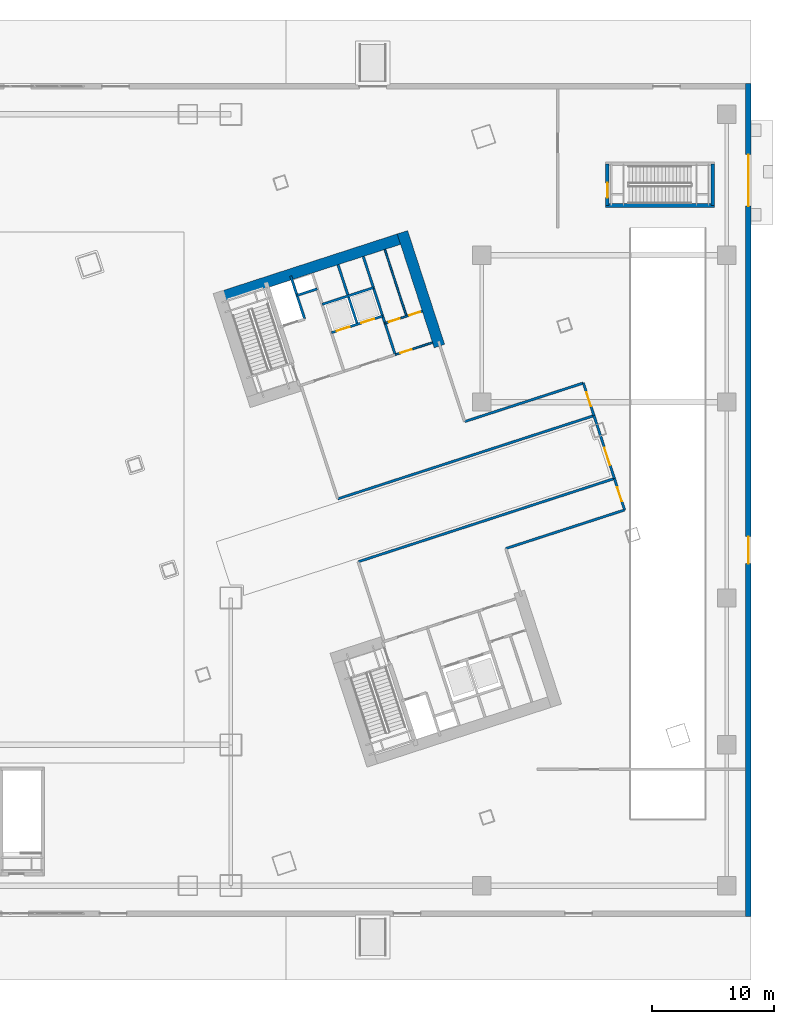
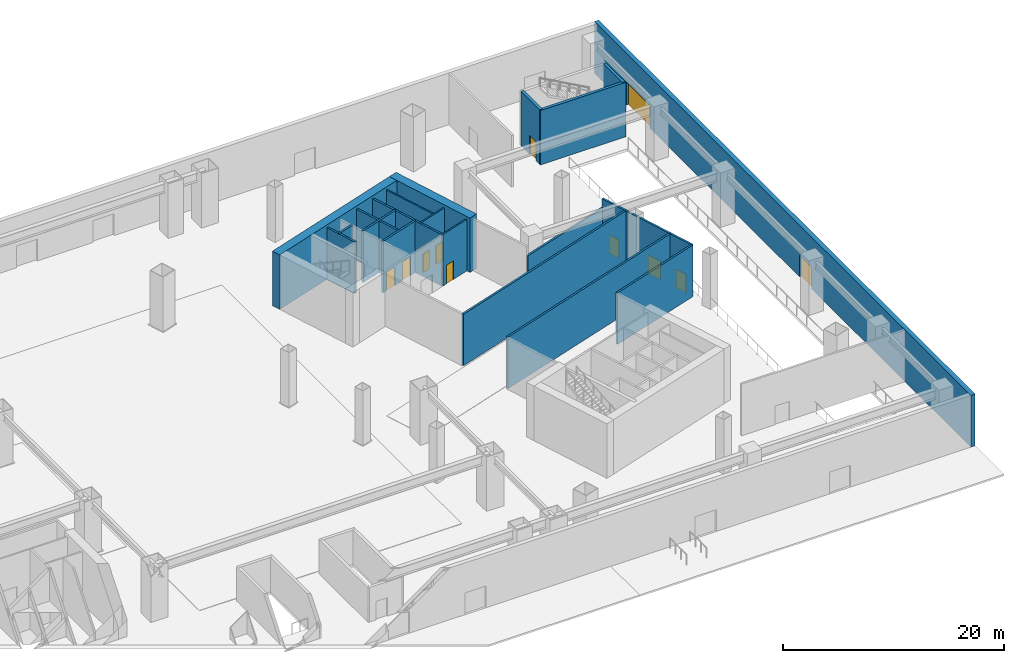
# One storey, part 17 of 31: 22 walls, 11 doors, 11 openings.
"""IFC4 building model written with IfcOpenShell, lengths in metres."""

from ifc_helpers import new_model, si_unit, direction, frame, frame_2d, origin, place, context, subcontext, project, spatial, rectangle, extrude, material, layer, layer_set, type_object, element, fill, save


model = new_model("IFC4")

# Units and contexts
model_context = context("Model", 3, precision=1e-05, world=origin(), true_north=direction((0.0, 1.0)))
body_context = subcontext(model_context, "Body", "Model", "MODEL_VIEW")
ifc_project = project(units=[si_unit("LENGTHUNIT", "METRE"), si_unit("AREAUNIT", "SQUARE_METRE"), si_unit("VOLUMEUNIT", "CUBIC_METRE"), si_unit("PLANEANGLEUNIT", "RADIAN"), si_unit("MASSUNIT", "GRAM", prefix="KILO")], contexts=[model_context])

# Site, building, storey
site_placement = place(None, origin())
site = spatial("IfcSite", under=ifc_project, at=site_placement, CompositionType="ELEMENT")
building_placement = place(site_placement, origin())
building = spatial("IfcBuilding", under=site, at=building_placement, Name="Qiaolan Cultural Towers", CompositionType="ELEMENT")
storey_placement = place(building_placement, origin())
storey = spatial("IfcBuildingStorey", under=building, at=storey_placement, Name="L00", CompositionType="ELEMENT", Elevation=0.0)

# Walls
ifc_material_1 = material(Name="Concrete C50", Category="concrete")
ifc_layer_1 = layer(ifc_material_1, 0.35009765625)
ifc_layer_set_1 = layer_set([ifc_layer_1], Name="Concrete C50")
wall_type_1 = type_object("IfcWallType", Name="WL-CORE-350", PredefinedType="SHEAR", material=ifc_layer_set_1)
wall_1_placement = place(storey_placement, frame((108.10009765625, 58.050048828125, 0.0), z_axis=(0.0, 0.0, 1.0), x_axis=(1.0, 0.0, 0.0)))
element("IfcWall", 1, at=wall_1_placement, inside=storey, type_object=wall_type_1, Name="L00 STP2 Stair Shaft Wall S", PredefinedType="SHEAR", context=body_context, shape_type="SweptSolid", body=[
    extrude(rectangle(XDim=8.89990234375, YDim=0.300048828125, at=frame_2d((4.449951171875, 0.0))), origin(), (0.0, 0.0, 1.0), 6.0),
])
wall_2_placement = place(storey_placement, frame((116.85009765625, 58.050048828125, 0.0), z_axis=(0.0, 0.0, 1.0), x_axis=(0.0, 1.0, 0.0)))
element("IfcWall", 2, at=wall_2_placement, inside=storey, type_object=wall_type_1, Name="L00 STP2 Stair Shaft Wall E", PredefinedType="SHEAR", context=body_context, shape_type="SweptSolid", body=[
    extrude(rectangle(XDim=3.39990234375, YDim=0.300048828125, at=frame_2d((1.699951171875, 0.0))), origin(), (0.0, 0.0, 1.0), 6.0),
])

# Wall, opening, door
wall_3_placement = place(storey_placement, frame((108.25, 58.050048828125, 0.0), z_axis=(0.0, 0.0, 1.0), x_axis=(0.0, 1.0, 0.0)))
wall_3 = element("IfcWall", 3, at=wall_3_placement, inside=storey, type_object=wall_type_1, Name="L00 STP2 Stair Shaft Wall W", PredefinedType="SHEAR", context=body_context, shape_type="SweptSolid", body=[
    extrude(rectangle(XDim=3.39990234375, YDim=0.300048828125, at=frame_2d((1.699951171875, 0.0))), origin(), (0.0, 0.0, 1.0), 6.0),
])
opening_1_placement = place(wall_3_placement, frame((0.64990234375, 0.0, 0.0)))
opening_1 = element("IfcOpeningElement", 4, at=opening_1_placement, cuts=wall_3, Name="Opening FD-03", PredefinedType="OPENING", context=body_context, shape_type="SweptSolid", body=[
    extrude(rectangle(XDim=1.199951171875, YDim=2.050048828125, at=frame_2d((0.60009765625, 1.02490234375))), frame((0.0, 0.159912109375, 0.0), z_axis=(0.0, -1.0, 0.0), x_axis=(1.0, 0.0, 0.0)), (0.0, 0.0, 1.0), 0.320068359375),
])
ifc_material_2 = material(Name="Galvanized Steel Smokeproof Lobby Fire Door", Category="steel")
door_type_1 = type_object("IfcDoorType", Name="DR-FD90-1200", OperationType="NOTDEFINED", PredefinedType="DOOR", material=ifc_material_2)
door_1_placement = place(opening_1_placement, origin())
door_1 = element("IfcDoor", 5, at=door_1_placement, inside=storey, type_object=door_type_1, Name="L00 Exit Stair ST-P2 Fire Door", OperationType="SINGLE_SWING_LEFT", OverallHeight=2.050048828125, OverallWidth=1.199951171875, PredefinedType="DOOR", context=body_context, shape_type="SweptSolid", body=[
    extrude(rectangle(XDim=1.199951171875, YDim=2.050048828125, at=frame_2d((0.60009765625, 1.02490234375))), frame((0.0, 0.02490234375, 0.0), z_axis=(0.0, -1.0, 0.0), x_axis=(1.0, 0.0, 0.0)), (0.0, 0.0, 1.0), 0.050048828125),
])
fill(opening_1, door_1)

# Walls
ifc_material_3 = material(Name="Concrete C60", Category="concrete")
ifc_layer_2 = layer(ifc_material_3, 0.89990234375)
ifc_layer_set_2 = layer_set([ifc_layer_2], Name="Concrete C60")
wall_type_2 = type_object("IfcWallType", Name="WL-CORE-900", PredefinedType="SHEAR", material=ifc_layer_set_2)
wall_4_placement = place(storey_placement, frame((76.20068359375, 50.41943359375, 0.0), z_axis=(0.0, 0.0, 1.0), x_axis=(0.951056412142, 0.309017314926, 0.0)))
element("IfcWall", 6, at=wall_4_placement, inside=storey, type_object=wall_type_2, Name="L00 T2-CN Outer Core Shear Wall", PredefinedType="SHEAR", context=body_context, shape_type="SweptSolid", body=[
    extrude(rectangle(XDim=16.7001953125, YDim=0.89990234375, at=frame_2d((8.35009765625, 0.0))), origin(), (0.0, 0.0, 1.0), 6.0),
])
wall_5_placement = place(storey_placement, frame((94.53857421875, 46.567626953125, 0.0), z_axis=(0.0, 0.0, 1.0), x_axis=(-0.309021722829, 0.951054979914, 0.0)))
element("IfcWall", 7, at=wall_5_placement, inside=storey, type_object=wall_type_2, Name="L00 T2-CN East Core Shear Wall", PredefinedType="SHEAR", context=body_context, shape_type="SweptSolid", body=[
    extrude(rectangle(XDim=9.780029296875, YDim=0.89990234375, at=frame_2d((4.89013671875, 0.0))), origin(), (0.0, 0.0, 1.0), 6.0),
])

# Wall, openings, doors
ifc_material_4 = material(Name="Precast Concrete C50 Bush-Hammered Granite Pier", Category="masonry")
ifc_layer_3 = layer(ifc_material_4, 0.449951171875)
ifc_layer_set_3 = layer_set([ifc_layer_3], Name="Precast Concrete C50 Bush-Hammered Granite Pier")
wall_type_3 = type_object("IfcWallType", Name="WL-EXT-POD-450", PredefinedType="SOLIDWALL", material=ifc_layer_set_3)
wall_6_placement = place(storey_placement, frame((119.77490234375, 68.0, 0.0), z_axis=(0.0, 0.0, 1.0), x_axis=(0.0, -1.0, 0.0)))
wall_6 = element("IfcWall", 8, at=wall_6_placement, inside=storey, type_object=wall_type_3, Name="L00 Podium Precast Facade Wall EAST", PredefinedType="SOLIDWALL", context=body_context, shape_type="SweptSolid", body=[
    extrude(rectangle(XDim=68.0, YDim=0.449951171875, at=frame_2d((34.0, 0.0))), origin(), (0.0, 0.0, 1.0), 5.699951171875),
])
opening_2_placement = place(wall_6_placement, frame((37.0, 0.0, 0.0)))
opening_2 = element("IfcOpeningElement", 9, at=opening_2_placement, cuts=wall_6, Name="Opening EX-16", PredefinedType="OPENING", context=body_context, shape_type="SweptSolid", body=[
    extrude(rectangle(XDim=2.199951171875, YDim=2.39990234375, at=frame_2d((1.10009765625, 1.199951171875))), frame((0.0, 0.23486328125, 0.0), z_axis=(0.0, -1.0, 0.0), x_axis=(1.0, 0.0, 0.0)), (0.0, 0.0, 1.0), 0.469970703125),
])
opening_3_placement = place(wall_6_placement, frame((5.800048828125, 0.0, 0.0)))
opening_3 = element("IfcOpeningElement", 10, at=opening_3_placement, cuts=wall_6, Name="Opening VG-01", PredefinedType="OPENING", context=body_context, shape_type="SweptSolid", body=[
    extrude(rectangle(XDim=4.199951171875, YDim=2.5, at=frame_2d((2.10009765625, 1.25))), frame((0.0, 0.23486328125, 0.0), z_axis=(0.0, -1.0, 0.0), x_axis=(1.0, 0.0, 0.0)), (0.0, 0.0, 1.0), 0.469970703125),
])
ifc_material_5 = material(Name="Anodized Aluminium Framed Tempered Glass Exit Door", Category="aluminium")
door_type_2 = type_object("IfcDoorType", Name="DR-EXIT-2200", OperationType="NOTDEFINED", PredefinedType="DOOR", material=ifc_material_5)
door_2_placement = place(opening_2_placement, origin())
door_2 = element("IfcDoor", 11, at=door_2_placement, inside=storey, type_object=door_type_2, Name="East Plaza Main Entrance Exit Door EX-16", OperationType="SINGLE_SWING_RIGHT", OverallHeight=2.39990234375, OverallWidth=2.199951171875, PredefinedType="DOOR", context=body_context, shape_type="SweptSolid", body=[
    extrude(rectangle(XDim=2.199951171875, YDim=2.39990234375, at=frame_2d((1.10009765625, 1.199951171875))), frame((0.0, 0.02490234375, 0.0), z_axis=(0.0, -1.0, 0.0), x_axis=(1.0, 0.0, 0.0)), (0.0, 0.0, 1.0), 0.050048828125),
])
fill(opening_2, door_2)
ifc_material_6 = material(Name="Motorized Insulated Aluminium Roller Shutter Gate", Category="aluminium")
door_type_3 = type_object("IfcDoorType", Name="DR-GATE-4200", OperationType="NOTDEFINED", PredefinedType="GATE", material=ifc_material_6)
door_3_placement = place(opening_3_placement, origin())
door_3 = element("IfcDoor", 12, at=door_3_placement, inside=storey, type_object=door_type_3, Name="Car Park Ramp Grade Exit Roller Shutter Gate VG-01", OperationType="ROLLINGUP", OverallHeight=2.5, OverallWidth=4.199951171875, PredefinedType="GATE", context=body_context, shape_type="SweptSolid", body=[
    extrude(rectangle(XDim=4.199951171875, YDim=2.5, at=frame_2d((2.10009765625, 1.25))), frame((0.0, 0.02490234375, 0.0), z_axis=(0.0, -1.0, 0.0), x_axis=(1.0, 0.0, 0.0)), (0.0, 0.0, 1.0), 0.050048828125),
])
fill(opening_3, door_3)

# Walls
ifc_material_7 = material(Name="Concrete C35 Fire Wall", Category="concrete")
ifc_layer_4 = layer(ifc_material_7, 0.199951171875)
ifc_layer_set_4 = layer_set([ifc_layer_4], Name="Concrete C35 Fire Wall")
wall_type_4 = type_object("IfcWallType", Name="WL-FIRE-200", PredefinedType="PARTITIONING", material=ifc_layer_set_4)
wall_7_placement = place(storey_placement, frame((83.53759765625, 48.776123046875, 0.0), z_axis=(0.0, 0.0, 1.0), x_axis=(-0.3089935693, 0.951064127245, 0.0)))
element("IfcWall", 13, at=wall_7_placement, inside=storey, type_object=wall_type_4, Name="L00 T2-CN Firefighting Hoistway East Wall", PredefinedType="PARTITIONING", context=body_context, shape_type="SweptSolid", body=[
    extrude(rectangle(XDim=3.7001953125, YDim=0.199951171875, at=frame_2d((1.85009765625, 0.0))), origin(), (0.0, 0.0, 1.0), 5.68505859375),
])
wall_8_placement = place(storey_placement, frame((82.910400390625, 50.706787109375, 0.0), z_axis=(0.0, 0.0, 1.0), x_axis=(0.951041328149, 0.309063734775, 0.0)))
element("IfcWall", 14, at=wall_8_placement, inside=storey, type_object=wall_type_4, Name="L00 T2-CN Pressurization Shaft Front Wall", PredefinedType="PARTITIONING", context=body_context, shape_type="SweptSolid", body=[
    extrude(rectangle(XDim=1.72998046875, YDim=0.199951171875, at=frame_2d((0.864990234375, 0.0))), origin(), (0.0, 0.0, 1.0), 5.68505859375),
])
wall_9_placement = place(storey_placement, frame((90.92822265625, 45.86767578125, 0.0), z_axis=(0.0, 0.0, 1.0), x_axis=(-0.309042196757, 0.951048327176, 0.0)))
element("IfcWall", 15, at=wall_9_placement, inside=storey, type_object=wall_type_4, Name="L00 T2-CN Lift Core East Wall", PredefinedType="PARTITIONING", context=body_context, shape_type="SweptSolid", body=[
    extrude(rectangle(XDim=8.429931640625, YDim=0.199951171875, at=frame_2d((4.21484375, 0.0))), origin(), (0.0, 0.0, 1.0), 5.68505859375),
])

# Wall, openings, doors
wall_10_placement = place(storey_placement, frame((85.717529296875, 47.66552734375, 0.0), z_axis=(0.0, 0.0, 1.0), x_axis=(0.951058531764, 0.30901079133, 0.0)))
wall_10 = element("IfcWall", 16, at=wall_10_placement, inside=storey, type_object=wall_type_4, Name="L00 T2-CN Passenger Lift Shaft Front Wall", PredefinedType="PARTITIONING", context=body_context, shape_type="SweptSolid", body=[
    extrude(rectangle(XDim=4.39990234375, YDim=0.199951171875, at=frame_2d((2.199951171875, 0.0))), origin(), (0.0, 0.0, 1.0), 5.68505859375),
])
opening_4_placement = place(wall_10_placement, frame((0.449951171875, 0.0, 0.0)))
opening_4 = element("IfcOpeningElement", 17, at=opening_4_placement, cuts=wall_10, Name="Opening LD-01", PredefinedType="OPENING", context=body_context, shape_type="SweptSolid", body=[
    extrude(rectangle(XDim=1.10009765625, YDim=2.050048828125, at=frame_2d((0.550048828125, 1.02490234375))), frame((0.0, 0.10986328125, 0.0), z_axis=(0.0, -1.0, 0.0), x_axis=(1.0, 0.0, 0.0)), (0.0, 0.0, 1.0), 0.219970703125),
])
opening_5_placement = place(wall_10_placement, frame((2.550048828125, 0.0, 0.0)))
opening_5 = element("IfcOpeningElement", 18, at=opening_5_placement, cuts=wall_10, Name="Opening LD-01", PredefinedType="OPENING", context=body_context, shape_type="SweptSolid", body=[
    extrude(rectangle(XDim=1.10009765625, YDim=2.050048828125, at=frame_2d((0.550048828125, 1.02490234375))), frame((0.0, 0.10986328125, 0.0), z_axis=(0.0, -1.0, 0.0), x_axis=(1.0, 0.0, 0.0)), (0.0, 0.0, 1.0), 0.219970703125),
])
ifc_material_8 = material(Name="Brushed Stainless Steel S30408 Centre-Parting Lift Landing Door", Category="steel")
door_type_4 = type_object("IfcDoorType", Name="DR-LIFT-1100", OperationType="NOTDEFINED", PredefinedType="DOOR", material=ifc_material_8)
door_4_placement = place(opening_4_placement, origin())
door_4 = element("IfcDoor", 19, at=door_4_placement, inside=storey, type_object=door_type_4, Name="L00 Passenger Lift 1 Landing Door", OperationType="DOUBLE_DOOR_SLIDING", OverallHeight=2.050048828125, OverallWidth=1.10009765625, PredefinedType="DOOR", context=body_context, shape_type="SweptSolid", body=[
    extrude(rectangle(XDim=1.10009765625, YDim=2.050048828125, at=frame_2d((0.550048828125, 1.02490234375))), frame((0.0, 0.02490234375, 0.0), z_axis=(0.0, -1.0, 0.0), x_axis=(1.0, 0.0, 0.0)), (0.0, 0.0, 1.0), 0.050048828125),
])
fill(opening_4, door_4)
door_5_placement = place(opening_5_placement, origin())
door_5 = element("IfcDoor", 20, at=door_5_placement, inside=storey, type_object=door_type_4, Name="L00 Passenger Lift 2 Landing Door", OperationType="DOUBLE_DOOR_SLIDING", OverallHeight=2.050048828125, OverallWidth=1.10009765625, PredefinedType="DOOR", context=body_context, shape_type="SweptSolid", body=[
    extrude(rectangle(XDim=1.10009765625, YDim=2.050048828125, at=frame_2d((0.550048828125, 1.02490234375))), frame((0.0, 0.02490234375, 0.0), z_axis=(0.0, -1.0, 0.0), x_axis=(1.0, 0.0, 0.0)), (0.0, 0.0, 1.0), 0.050048828125),
])
fill(opening_5, door_5)

# Walls
wall_11_placement = place(storey_placement, frame((87.83837890625, 48.3544921875, 0.0), z_axis=(0.0, 0.0, 1.0), x_axis=(-0.3090093719, 0.951058992953, 0.0)))
element("IfcWall", 21, at=wall_11_placement, inside=storey, type_object=wall_type_4, Name="L00 T2-CN Lift Shaft Divider Wall", PredefinedType="PARTITIONING", context=body_context, shape_type="SweptSolid", body=[
    extrude(rectangle(XDim=5.110107421875, YDim=0.199951171875, at=frame_2d((2.55517578125, 0.0))), origin(), (0.0, 0.0, 1.0), 5.68505859375),
])
wall_12_placement = place(storey_placement, frame((84.966552734375, 49.9765625, 0.0), z_axis=(0.0, 0.0, 1.0), x_axis=(0.951063829732, 0.308994485023, 0.0)))
element("IfcWall", 22, at=wall_12_placement, inside=storey, type_object=wall_type_4, Name="L00 T2-CN Passenger Lift Shaft Back Wall", PredefinedType="PARTITIONING", context=body_context, shape_type="SweptSolid", body=[
    extrude(rectangle(XDim=4.400146484375, YDim=0.199951171875, at=frame_2d((2.2001953125, 0.0))), origin(), (0.0, 0.0, 1.0), 5.68505859375),
])
wall_13_placement = place(storey_placement, frame((87.90625, 28.9560546875, 0.0), z_axis=(0.0, 0.0, 1.0), x_axis=(0.951056330024, 0.309017567658, 0.0)))
element("IfcWall", 23, at=wall_13_placement, inside=storey, type_object=wall_type_4, Name="L00 ST-E1 Passageway North Wall", PredefinedType="PARTITIONING", context=body_context, shape_type="SweptSolid", body=[
    extrude(rectangle(XDim=21.999755859375, YDim=0.199951171875, at=frame_2d((11.0, 0.0))), origin(), (0.0, 0.0, 1.0), 5.68505859375),
])
wall_14_placement = place(storey_placement, frame((99.962890625, 30.03466796875, 0.0), z_axis=(0.0, 0.0, 1.0), x_axis=(0.951061328589, 0.309002183266, 0.0)))
element("IfcWall", 24, at=wall_14_placement, inside=storey, type_object=wall_type_4, Name="L00 ST-E1 Passageway South Wall", PredefinedType="PARTITIONING", context=body_context, shape_type="SweptSolid", body=[
    extrude(rectangle(XDim=10.2001953125, YDim=0.199951171875, at=frame_2d((5.10009765625, 0.0))), origin(), (0.0, 0.0, 1.0), 5.68505859375),
])

# Wall, opening, door
wall_15_placement = place(storey_placement, frame((109.663818359375, 33.1865234375, 0.0), z_axis=(0.0, 0.0, 1.0), x_axis=(-0.309057448393, 0.951043371037, 0.0)))
wall_15 = element("IfcWall", 25, at=wall_15_placement, inside=storey, type_object=wall_type_4, Name="L00 ST-E1 Passageway East Exit Wall", PredefinedType="PARTITIONING", context=body_context, shape_type="SweptSolid", body=[
    extrude(rectangle(XDim=2.699951171875, YDim=0.199951171875, at=frame_2d((1.35009765625, 0.0))), origin(), (0.0, 0.0, 1.0), 5.68505859375),
])
opening_6_placement = place(wall_15_placement, frame((0.75, 0.0, 0.0)))
opening_6 = element("IfcOpeningElement", 26, at=opening_6_placement, cuts=wall_15, Name="Opening FD-03", PredefinedType="OPENING", context=body_context, shape_type="SweptSolid", body=[
    extrude(rectangle(XDim=1.199951171875, YDim=2.050048828125, at=frame_2d((0.60009765625, 1.02490234375))), frame((0.0, 0.10986328125, 0.0), z_axis=(0.0, -1.0, 0.0), x_axis=(1.0, 0.0, 0.0)), (0.0, 0.0, 1.0), 0.219970703125),
])
door_6_placement = place(opening_6_placement, origin())
door_6 = element("IfcDoor", 27, at=door_6_placement, inside=storey, type_object=door_type_1, Name="ST-E1 Protected Exit Passageway Fire Door", OperationType="SINGLE_SWING_LEFT", OverallHeight=2.050048828125, OverallWidth=1.199951171875, PredefinedType="DOOR", context=body_context, shape_type="SweptSolid", body=[
    extrude(rectangle(XDim=1.199951171875, YDim=2.050048828125, at=frame_2d((0.60009765625, 1.02490234375))), frame((0.0, 0.02490234375, 0.0), z_axis=(0.0, -1.0, 0.0), x_axis=(1.0, 0.0, 0.0)), (0.0, 0.0, 1.0), 0.050048828125),
])
fill(opening_6, door_6)

# Walls
wall_16_placement = place(storey_placement, frame((86.237548828125, 34.091796875, 0.0), z_axis=(0.0, 0.0, 1.0), x_axis=(0.951056330024, 0.309017567658, 0.0)))
element("IfcWall", 28, at=wall_16_placement, inside=storey, type_object=wall_type_4, Name="L00 ST-E2 Passageway South Wall", PredefinedType="PARTITIONING", context=body_context, shape_type="SweptSolid", body=[
    extrude(rectangle(XDim=21.999755859375, YDim=0.199951171875, at=frame_2d((11.0, 0.0))), origin(), (0.0, 0.0, 1.0), 5.68505859375),
])
wall_17_placement = place(storey_placement, frame((96.5947265625, 40.401123046875, 0.0), z_axis=(0.0, 0.0, 1.0), x_axis=(0.951052008584, 0.309030867339, 0.0)))
element("IfcWall", 29, at=wall_17_placement, inside=storey, type_object=wall_type_4, Name="L00 ST-E2 Passageway North Wall", PredefinedType="PARTITIONING", context=body_context, shape_type="SweptSolid", body=[
    extrude(rectangle(XDim=10.199951171875, YDim=0.199951171875, at=frame_2d((5.10009765625, 0.0))), origin(), (0.0, 0.0, 1.0), 4.675048828125),
])

# Wall, opening, door
wall_18_placement = place(storey_placement, frame((107.16064453125, 40.89013671875, 0.0), z_axis=(0.0, 0.0, 1.0), x_axis=(-0.308999325213, 0.951062257173, 0.0)))
wall_18 = element("IfcWall", 30, at=wall_18_placement, inside=storey, type_object=wall_type_4, Name="L00 ST-E2 Passageway East Exit Wall", PredefinedType="PARTITIONING", context=body_context, shape_type="SweptSolid", body=[
    extrude(rectangle(XDim=2.800048828125, YDim=0.199951171875, at=frame_2d((1.39990234375, 0.0))), origin(), (0.0, 0.0, 1.0), 5.68505859375),
])
opening_7_placement = place(wall_18_placement, frame((0.800048828125, 0.0, 0.0)))
opening_7 = element("IfcOpeningElement", 31, at=opening_7_placement, cuts=wall_18, Name="Opening FD-03", PredefinedType="OPENING", context=body_context, shape_type="SweptSolid", body=[
    extrude(rectangle(XDim=1.199951171875, YDim=2.050048828125, at=frame_2d((0.60009765625, 1.02490234375))), frame((0.0, 0.10986328125, 0.0), z_axis=(0.0, -1.0, 0.0), x_axis=(1.0, 0.0, 0.0)), (0.0, 0.0, 1.0), 0.219970703125),
])
door_7_placement = place(opening_7_placement, origin())
door_7 = element("IfcDoor", 32, at=door_7_placement, inside=storey, type_object=door_type_1, Name="ST-E2 Protected Exit Passageway Fire Door", OperationType="SINGLE_SWING_RIGHT", OverallHeight=2.050048828125, OverallWidth=1.199951171875, PredefinedType="DOOR", context=body_context, shape_type="SweptSolid", body=[
    extrude(rectangle(XDim=1.199951171875, YDim=2.050048828125, at=frame_2d((0.60009765625, 1.02490234375))), frame((0.0, 0.02490234375, 0.0), z_axis=(0.0, -1.0, 0.0), x_axis=(1.0, 0.0, 0.0)), (0.0, 0.0, 1.0), 0.050048828125),
])
fill(opening_7, door_7)

wall_19_placement = place(storey_placement, frame((108.829345703125, 35.75439453125, 0.0), z_axis=(0.0, 0.0, 1.0), x_axis=(-0.309016555588, 0.951056658866, 0.0)))
wall_19 = element("IfcWall", 33, at=wall_19_placement, inside=storey, type_object=wall_type_4, Name="L00 East Lobby East Exit Wall", PredefinedType="PARTITIONING", context=body_context, shape_type="SweptSolid", body=[
    extrude(rectangle(XDim=5.400146484375, YDim=0.199951171875, at=frame_2d((2.7001953125, 0.0))), origin(), (0.0, 0.0, 1.0), 5.68505859375),
])
opening_8_placement = place(wall_19_placement, frame((1.14990234375, 0.0, 0.0)))
opening_8 = element("IfcOpeningElement", 34, at=opening_8_placement, cuts=wall_19, Name="Opening FD-02", PredefinedType="OPENING", context=body_context, shape_type="SweptSolid", body=[
    extrude(rectangle(XDim=1.5, YDim=2.050048828125, at=frame_2d((0.75, 1.02490234375))), frame((0.0, 0.10986328125, 0.0), z_axis=(0.0, -1.0, 0.0), x_axis=(1.0, 0.0, 0.0)), (0.0, 0.0, 1.0), 0.219970703125),
])
ifc_material_9 = material(Name="Galvanized Steel Double Fire Door", Category="steel")
door_type_5 = type_object("IfcDoorType", Name="DR-FD90-1500", OperationType="NOTDEFINED", PredefinedType="DOOR", material=ifc_material_9)
door_8_placement = place(opening_8_placement, origin())
door_8 = element("IfcDoor", 35, at=door_8_placement, inside=storey, type_object=door_type_5, Name="East Tower Lobby Main East Exit Door", OperationType="SINGLE_SWING_LEFT", OverallHeight=2.050048828125, OverallWidth=1.5, PredefinedType="DOOR", context=body_context, shape_type="SweptSolid", body=[
    extrude(rectangle(XDim=1.5, YDim=2.050048828125, at=frame_2d((0.75, 1.02490234375))), frame((0.0, 0.02490234375, 0.0), z_axis=(0.0, -1.0, 0.0), x_axis=(1.0, 0.0, 0.0)), (0.0, 0.0, 1.0), 0.050048828125),
])
fill(opening_8, door_8)

ifc_material_10 = material(Name="Autoclaved Aerated Concrete Block B06", Category="concrete")
ifc_layer_5 = layer(ifc_material_10, 0.14990234375)
ifc_layer_set_5 = layer_set([ifc_layer_5], Name="Autoclaved Aerated Concrete Block B06")
wall_type_5 = type_object("IfcWallType", Name="WL-PART-150", PredefinedType="PARTITIONING", material=ifc_layer_set_5)
wall_20_placement = place(storey_placement, frame((90.92822265625, 45.86767578125, 0.0), z_axis=(0.0, 0.0, 1.0), x_axis=(0.951059297078, 0.309008435874, 0.0)))
wall_20 = element("IfcWall", 36, at=wall_20_placement, inside=storey, type_object=wall_type_5, Name="L00 T2-CN Sanitary Core Front Wall", PredefinedType="PARTITIONING", context=body_context, shape_type="SweptSolid", body=[
    extrude(rectangle(XDim=3.19970703125, YDim=0.14990234375, at=frame_2d((1.599853515625, 0.0))), origin(), (0.0, 0.0, 1.0), 5.68505859375),
])
opening_9_placement = place(wall_20_placement, frame((0.449951171875, 0.0, 0.0)))
opening_9 = element("IfcOpeningElement", 37, at=opening_9_placement, cuts=wall_20, Name="Opening ID-05", PredefinedType="OPENING", context=body_context, shape_type="SweptSolid", body=[
    extrude(rectangle(XDim=0.949951171875, YDim=2.050048828125, at=frame_2d((0.47509765625, 1.02490234375))), frame((0.0, 0.0849609375, 0.0), z_axis=(0.0, -1.0, 0.0), x_axis=(1.0, 0.0, 0.0)), (0.0, 0.0, 1.0), 0.169921875),
])
ifc_material_11 = material(Name="Fire-Rated Laminate Accessible Core Door", Category="timber")
door_type_6 = type_object("IfcDoorType", Name="DR-INT-950", OperationType="NOTDEFINED", PredefinedType="DOOR", material=ifc_material_11)
door_9_placement = place(opening_9_placement, origin())
door_9 = element("IfcDoor", 38, at=door_9_placement, inside=storey, type_object=door_type_6, Name="L00 Sanitary Vestibule Door", OperationType="SINGLE_SWING_LEFT", OverallHeight=2.050048828125, OverallWidth=0.949951171875, PredefinedType="DOOR", context=body_context, shape_type="SweptSolid", body=[
    extrude(rectangle(XDim=0.949951171875, YDim=2.050048828125, at=frame_2d((0.47509765625, 1.02490234375))), frame((0.0, 0.02490234375, 0.0), z_axis=(0.0, -1.0, 0.0), x_axis=(1.0, 0.0, 0.0)), (0.0, 0.0, 1.0), 0.050048828125),
])
fill(opening_9, door_9)

# Wall, openings, doors
wall_21_placement = place(storey_placement, frame((90.09375, 48.435546875, 0.0), z_axis=(0.0, 0.0, 1.0), x_axis=(0.951066581729, 0.308986014439, 0.0)))
wall_21 = element("IfcWall", 39, at=wall_21_placement, inside=storey, type_object=wall_type_5, Name="L00 T2-CN Restroom Vestibule Wall", PredefinedType="PARTITIONING", context=body_context, shape_type="SweptSolid", body=[
    extrude(rectangle(XDim=3.199951171875, YDim=0.14990234375, at=frame_2d((1.60009765625, 0.0))), origin(), (0.0, 0.0, 1.0), 5.68505859375),
])
opening_10_placement = place(wall_21_placement, frame((0.35009765625, 0.0, 0.0)))
opening_10 = element("IfcOpeningElement", 40, at=opening_10_placement, cuts=wall_21, Name="Opening ID-06", PredefinedType="OPENING", context=body_context, shape_type="SweptSolid", body=[
    extrude(rectangle(XDim=0.89990234375, YDim=2.050048828125, at=frame_2d((0.449951171875, 1.02490234375))), frame((0.0, 0.0849609375, 0.0), z_axis=(0.0, -1.0, 0.0), x_axis=(1.0, 0.0, 0.0)), (0.0, 0.0, 1.0), 0.169921875),
])
opening_11_placement = place(wall_21_placement, frame((2.10009765625, 0.0, 0.0)))
opening_11 = element("IfcOpeningElement", 41, at=opening_11_placement, cuts=wall_21, Name="Opening ID-06", PredefinedType="OPENING", context=body_context, shape_type="SweptSolid", body=[
    extrude(rectangle(XDim=0.89990234375, YDim=2.050048828125, at=frame_2d((0.449951171875, 1.02490234375))), frame((0.0, 0.0849609375, 0.0), z_axis=(0.0, -1.0, 0.0), x_axis=(1.0, 0.0, 0.0)), (0.0, 0.0, 1.0), 0.169921875),
])
ifc_material_12 = material(Name="Fire-Rated Laminate Core Service Door", Category="timber")
door_type_7 = type_object("IfcDoorType", Name="DR-INT-900", OperationType="NOTDEFINED", PredefinedType="DOOR", material=ifc_material_12)
door_10_placement = place(opening_10_placement, origin())
door_10 = element("IfcDoor", 42, at=door_10_placement, inside=storey, type_object=door_type_7, Name="L00 Men Restroom Door", OperationType="SINGLE_SWING_LEFT", OverallHeight=2.050048828125, OverallWidth=0.89990234375, PredefinedType="DOOR", context=body_context, shape_type="SweptSolid", body=[
    extrude(rectangle(XDim=0.89990234375, YDim=2.050048828125, at=frame_2d((0.449951171875, 1.02490234375))), frame((0.0, 0.02490234375, 0.0), z_axis=(0.0, -1.0, 0.0), x_axis=(1.0, 0.0, 0.0)), (0.0, 0.0, 1.0), 0.050048828125),
])
fill(opening_10, door_10)
door_11_placement = place(opening_11_placement, origin())
door_11 = element("IfcDoor", 43, at=door_11_placement, inside=storey, type_object=door_type_7, Name="L00 Accessible & Women Restroom Door", OperationType="SINGLE_SWING_RIGHT", OverallHeight=2.050048828125, OverallWidth=0.89990234375, PredefinedType="DOOR", context=body_context, shape_type="SweptSolid", body=[
    extrude(rectangle(XDim=0.89990234375, YDim=2.050048828125, at=frame_2d((0.449951171875, 1.02490234375))), frame((0.0, 0.02490234375, 0.0), z_axis=(0.0, -1.0, 0.0), x_axis=(1.0, 0.0, 0.0)), (0.0, 0.0, 1.0), 0.050048828125),
])
fill(opening_11, door_11)

# Wall
wall_22_placement = place(storey_placement, frame((91.853271484375, 49.007080078125, 0.0), z_axis=(0.0, 0.0, 1.0), x_axis=(-0.309022487551, 0.951054731437, 0.0)))
element("IfcWall", 44, at=wall_22_placement, inside=storey, type_object=wall_type_5, Name="L00 T2-CN Restroom Divider Wall", PredefinedType="PARTITIONING", context=body_context, shape_type="SweptSolid", body=[
    extrude(rectangle(XDim=5.730224609375, YDim=0.14990234375, at=frame_2d((2.865234375, 0.0))), origin(), (0.0, 0.0, 1.0), 5.68505859375),
])

save(model, "model.ifc")
